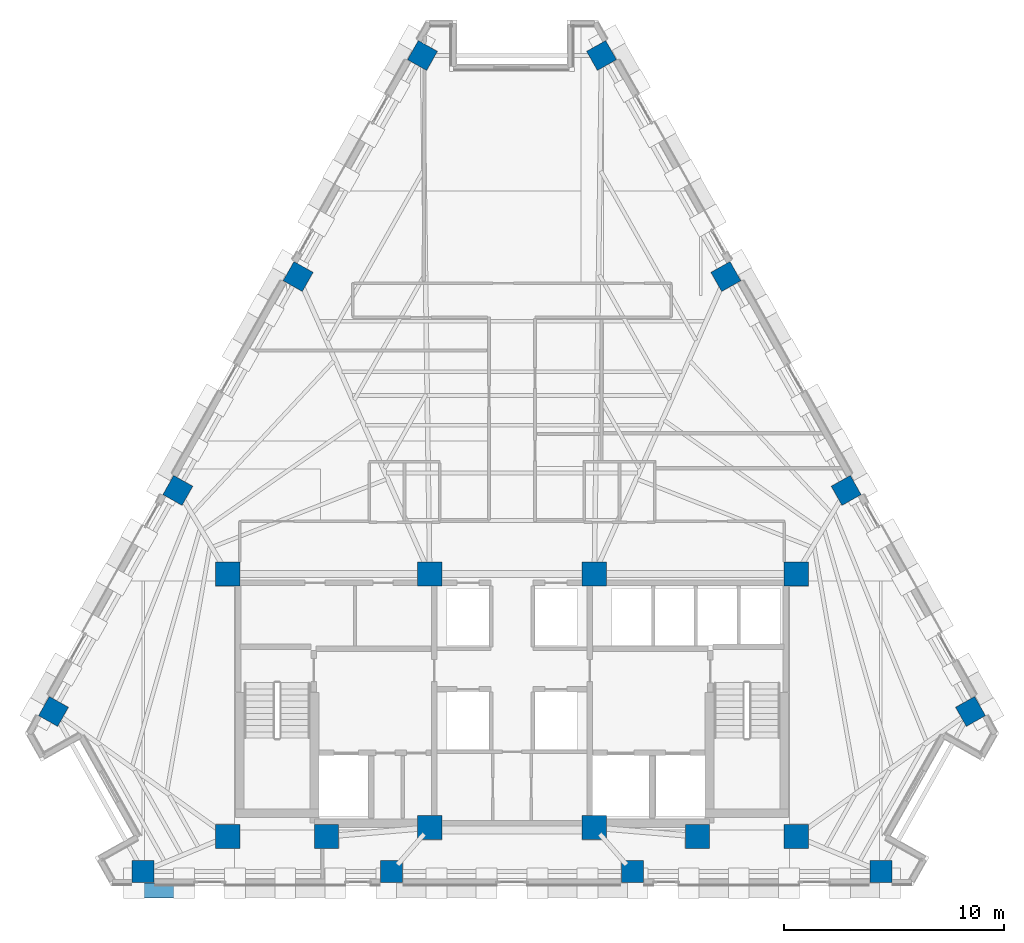
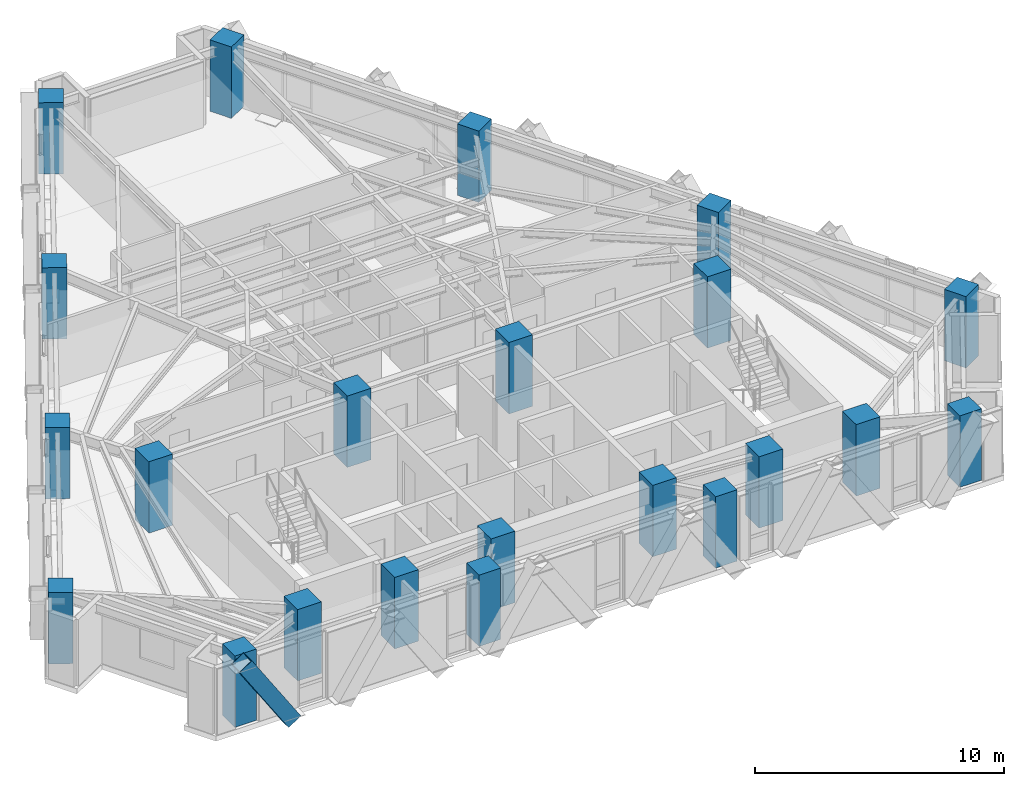
# One storey, part 1 of 14: 22 columns, 1 member.
"""IFC4 building model written with IfcOpenShell, lengths in metres."""

import ifcopenshell
import ifcopenshell.guid

model = None  # the IFC model being written
_history = None  # IfcOwnerHistory: only IFC2X3 demands one
_inside = {}  # id of a spatial element -> (the spatial element, [elements in it])
_under = {}  # id of a project, library or spatial element -> (it, [spatial elements below it])
_declared = {}  # id of a project -> (the project, [libraries it declares])
_typed = {}  # id of a type object -> (the type object, [elements of that type])
_made_of = {}  # id of a material, layer set ... -> (it, [elements and type objects made of it])


def new_model(schema):
    """Start an empty IFC model of exactly this schema.

    Asked for "IFC4X3", IfcOpenShell would pick the latest addendum, in which some entities
    have other attributes; the version numbers below select the first issue.
    IFC2X3 requires an IfcOwnerHistory on every rooted entity: one is made here for all.
    """
    global model, _history
    if schema == "IFC4X3":
        model = ifcopenshell.file(schema_version=(4, 3, 0, 0))
    else:
        model = ifcopenshell.file(schema=schema)
    _inside.clear()
    _under.clear()
    _declared.clear()
    _typed.clear()
    _made_of.clear()
    _history = None
    if model.schema == "IFC2X3":
        org = make("IfcOrganization", Name="unknown")
        user = make(
            "IfcPersonAndOrganization",
            ThePerson=make("IfcPerson", FamilyName="unknown"),
            TheOrganization=org,
        )
        app = make(
            "IfcApplication",
            ApplicationDeveloper=org,
            Version="unknown",
            ApplicationFullName="unknown",
            ApplicationIdentifier="unknown",
        )
        _history = make(
            "IfcOwnerHistory",
            OwningUser=user,
            OwningApplication=app,
            ChangeAction="ADDED",
            CreationDate=0,
        )
    return model


def make(cls, **values):
    """One entity of the class cls with the attributes given. An attribute that is None is left unset."""
    return model.create_entity(
        cls, **{name: value for name, value in values.items() if value is not None}
    )


def rooted(cls, **values):
    """An entity with a GlobalId (a new one), such as an element, a storey or a relation."""
    return make(cls, GlobalId=ifcopenshell.guid.new(), OwnerHistory=_history, **values)


def si_unit(unit_type, name, prefix=None):
    """IfcSIUnit, for example si_unit("LENGTHUNIT", "METRE", prefix="MILLI")."""
    return make("IfcSIUnit", UnitType=unit_type, Prefix=prefix, Name=name)


def assignment(units):
    """IfcUnitAssignment: the units of a project."""
    return None if units is None else make("IfcUnitAssignment", Units=units)


def point(xyz):
    """IfcCartesianPoint."""
    return None if xyz is None else make("IfcCartesianPoint", Coordinates=xyz)


def direction(xyz):
    """IfcDirection."""
    return None if xyz is None else make("IfcDirection", DirectionRatios=xyz)


def frame(location, z_axis=None, x_axis=None):
    """IfcAxis2Placement3D, a coordinate frame: its origin and axes. An axis left out is left unset."""
    return make(
        "IfcAxis2Placement3D",
        Location=point(location),
        Axis=direction(z_axis),
        RefDirection=direction(x_axis),
    )


def frame_2d(location, x_axis=None):
    """IfcAxis2Placement2D, a coordinate frame in the plane: its origin and x axis."""
    return make(
        "IfcAxis2Placement2D", Location=point(location), RefDirection=direction(x_axis)
    )


def origin():
    """The frame at (0, 0, 0) with its axes left unset."""
    return frame((0.0, 0.0, 0.0))


def origin_2d():
    """The frame at (0, 0) in the plane with its x axis left unset."""
    return frame_2d((0.0, 0.0))


def place(relative_to, where):
    """IfcLocalPlacement: puts the frame where relative to a parent placement (None: the world)."""
    return make(
        "IfcLocalPlacement", PlacementRelTo=relative_to, RelativePlacement=where
    )


def context(
    kind, dimensions, precision=None, world=None, true_north=None, identifier=None
):
    """IfcGeometricRepresentationContext, for example the 3D "Model" context."""
    return make(
        "IfcGeometricRepresentationContext",
        ContextIdentifier=identifier,
        ContextType=kind,
        CoordinateSpaceDimension=dimensions,
        Precision=precision,
        WorldCoordinateSystem=world,
        TrueNorth=true_north,
    )


def subcontext(parent, identifier, kind, view, scale=None):
    """IfcGeometricRepresentationSubContext, for example "Body" below "Model"."""
    return make(
        "IfcGeometricRepresentationSubContext",
        ContextIdentifier=identifier,
        ContextType=kind,
        ParentContext=parent,
        TargetScale=scale,
        TargetView=view,
    )


def project(units=None, contexts=None):
    """IfcProject with its units and contexts."""
    return rooted(
        "IfcProject",
        Name="project",
        RepresentationContexts=contexts,
        UnitsInContext=assignment(units),
    )


def spatial(cls, under=None, at=None, **own):
    """A site, building, storey or space (cls), placed at a placement, below another one or the project."""
    s = rooted(cls, ObjectPlacement=at, **own)
    if under is not None:
        _under.setdefault(under.id(), (under, []))[1].append(s)
    return s


def profile(cls, at=None, kind="AREA", **sizes):
    """A parametric profile (cls). Its sizes go by their IFC names, for example OverallWidth=200.0."""
    return make(cls, ProfileType=kind, Position=at, **sizes)


def rectangle(**sizes):
    """IfcRectangleProfileDef."""
    return profile("IfcRectangleProfileDef", **sizes)


def hollow_rectangle(**sizes):
    """IfcRectangleHollowProfileDef."""
    return profile("IfcRectangleHollowProfileDef", **sizes)


def extrude(swept, where, along, depth):
    """IfcExtrudedAreaSolid: the profile swept, set in the frame where, extruded along a direction by depth."""
    return make(
        "IfcExtrudedAreaSolid",
        SweptArea=swept,
        Position=where,
        ExtrudedDirection=direction(along),
        Depth=depth,
    )


def shape(context_of_items, identifier, shape_type, items):
    """IfcShapeRepresentation: the items that make up one representation, for example the "Body"."""
    return make(
        "IfcShapeRepresentation",
        ContextOfItems=context_of_items,
        RepresentationIdentifier=identifier,
        RepresentationType=shape_type,
        Items=items,
    )


def material(Name=None, Category=None):
    """IfcMaterial."""
    return make("IfcMaterial", Name=Name, Category=Category)


def material_profile(
    of_material, cross_section, Name=None, Category=None, Priority=None
):
    """IfcMaterialProfile: a cross section and its material."""
    return make(
        "IfcMaterialProfile",
        Name=Name,
        Material=of_material,
        Profile=cross_section,
        Priority=Priority,
        Category=Category,
    )


def profile_set(profiles, Name=None, composite=None):
    """IfcMaterialProfileSet."""
    return make(
        "IfcMaterialProfileSet",
        Name=Name,
        MaterialProfiles=profiles,
        CompositeProfile=composite,
    )


def made_of(thing, what):
    """Note that an element or type object is made of a material, layer set ...; save() writes the relation."""
    if what is not None:
        _made_of.setdefault(what.id(), (what, []))[1].append(thing)
    return thing


def type_object(cls, material=None, **own):
    """A type object (cls), such as IfcWallType, which elements share."""
    return made_of(rooted(cls, **own), material)


def element(
    cls,
    number,
    at=None,
    inside=None,
    cuts=None,
    type_object=None,
    material=None,
    context=None,
    identifier="Body",
    shape_type=None,
    held_by="IfcProductDefinitionShape",
    body=None,
    shapes=None,
    **own,
):
    """One element of the class cls, such as IfcWall. Its Tag is "e" and its number.

    at: its placement. inside: the storey or other place that contains it. cuts: it is an
    opening in that element (IfcRelVoidsElement). A single representation is given by context,
    identifier, shape_type and body (its items); several are given by shapes. held_by: the class
    of the entity that holds the representations. save() writes the other relations.
    """
    e = rooted(cls, Tag="e%d" % number, ObjectPlacement=at, **own)
    if body is not None:
        shapes = [shape(context, identifier, shape_type, body)]
    if shapes is not None:
        e.Representation = make(held_by, Representations=shapes)
    if inside is not None:
        _inside.setdefault(inside.id(), (inside, []))[1].append(e)
    if cuts is not None:
        rooted(
            "IfcRelVoidsElement", RelatingBuildingElement=cuts, RelatedOpeningElement=e
        )
    if type_object is not None:
        _typed.setdefault(type_object.id(), (type_object, []))[1].append(e)
    return made_of(e, material)


def aggregate(whole, parts):
    """IfcRelAggregates: a whole, such as a stair, and the parts it consists of."""
    return rooted("IfcRelAggregates", RelatingObject=whole, RelatedObjects=parts)


def save(model, path):
    """Write the relations noted so far, then the file.

    IfcRelAggregates (storeys below a building ...), IfcRelContainedInSpatialStructure (elements
    in a storey), IfcRelDefinesByType, IfcRelAssociatesMaterial and IfcRelDeclares: one each for
    every whole, place, type object, material and project.
    """
    for whole, parts in _under.values():
        aggregate(whole, parts)
    for where, things in _inside.values():
        rooted(
            "IfcRelContainedInSpatialStructure",
            RelatedElements=things,
            RelatingStructure=where,
        )
    for kind, things in _typed.values():
        rooted("IfcRelDefinesByType", RelatedObjects=things, RelatingType=kind)
    for what, things in _made_of.values():
        rooted("IfcRelAssociatesMaterial", RelatedObjects=things, RelatingMaterial=what)
    for by, libraries in _declared.values():
        rooted("IfcRelDeclares", RelatingContext=by, RelatedDefinitions=libraries)
    model.write(path)


model = new_model("IFC4")

# Units and contexts
model_context = context("Model", 3, precision=1e-05, world=origin(), true_north=direction((0.0, 1.0)))
body_context = subcontext(model_context, "Body", "Model", "MODEL_VIEW")
ifc_project = project(units=[si_unit("LENGTHUNIT", "METRE"), si_unit("AREAUNIT", "SQUARE_METRE"), si_unit("VOLUMEUNIT", "CUBIC_METRE"), si_unit("PLANEANGLEUNIT", "RADIAN"), si_unit("MASSUNIT", "GRAM", prefix="KILO")], contexts=[model_context])

# Site, building, storey
site_placement = place(None, origin())
site = spatial("IfcSite", under=ifc_project, at=site_placement, CompositionType="ELEMENT")
building_placement = place(site_placement, origin())
building = spatial("IfcBuilding", under=site, at=building_placement, Name="Quenlor Broadcast Tower", CompositionType="ELEMENT")
storey_placement = place(building_placement, frame((0.0, 0.0, 168.5)))
storey = spatial("IfcBuildingStorey", under=building, at=storey_placement, Name="L46", CompositionType="ELEMENT", Elevation=168.5)

# Columns
ifc_material_1 = material(Name="Concrete C65/80", Category="concrete")
ifc_material_profile_1 = material_profile(ifc_material_1, rectangle(XDim=1.10009765625, YDim=1.10009765625, at=origin_2d()))
ifc_profile_set_1 = profile_set([ifc_material_profile_1], Name="Concrete C65/80 RC1100x1100")
column_type_1 = type_object("IfcColumnType", Name="Core Corner Column Mid Concrete C65/80 1100", PredefinedType="COLUMN", material=ifc_profile_set_1)
for number, where, z_axis, x_axis, name in (
    (1, (-12.949951171875, -16.75, 0.0), (0.0, 0.0, 1.0), (1.0, 0.0, 0.0), "L46 Core Column CC1"),
    (2, (-8.449951171875, -16.75, 0.0), (0.0, 0.0, 1.0), (1.0, 0.0, 0.0), "L46 Core Column CC2"),
    (3, (-3.75, -16.35009765625, 0.0), (0.0, 0.0, 1.0), (1.0, 0.0, 0.0), "L46 Core Column CC3"),
    (4, (3.75, -16.35009765625, 0.0), (0.0, 0.0, 1.0), (1.0, 0.0, 0.0), "L46 Core Column CC4"),
    (5, (8.449951171875, -16.75, 0.0), (0.0, 0.0, 1.0), (1.0, 0.0, 0.0), "L46 Core Column CC5"),
    (6, (12.949951171875, -16.75, 0.0), (0.0, 0.0, 1.0), (1.0, 0.0, 0.0), "L46 Core Column CC6"),
    (7, (-12.949951171875, -4.800048828125, 0.0), (0.0, 0.0, 1.0), (1.0, 0.0, 0.0), "L46 Core Column CC7"),
    (8, (-3.75, -4.800048828125, 0.0), (0.0, 0.0, 1.0), (1.0, 0.0, 0.0), "L46 Core Column CC8"),
    (9, (3.75, -4.800048828125, 0.0), (0.0, 0.0, 1.0), (1.0, 0.0, 0.0), "L46 Core Column CC9"),
    (10, (12.949951171875, -4.800048828125, 0.0), (0.0, 0.0, 1.0), (1.0, 0.0, 0.0), "L46 Core Column CC10"),
):
    element("IfcColumn", number, at=place(storey_placement, frame(where, z_axis=z_axis, x_axis=x_axis)), inside=storey, type_object=column_type_1, Name=name, PredefinedType="COLUMN", context=body_context, shape_type="SweptSolid", body=[
        extrude(rectangle(XDim=1.10009765625, YDim=1.10009765625, at=origin_2d()), origin(), (0.0, 0.0, 1.0), 3.5),
    ])
ifc_material_2 = material(Name="Concrete C50/60", Category="concrete")
ifc_material_profile_2 = material_profile(ifc_material_2, rectangle(XDim=1.0, YDim=1.0, at=origin_2d()))
ifc_profile_set_2 = profile_set([ifc_material_profile_2], Name="Concrete C50/60 RC1000x1000")
column_type_2 = type_object("IfcColumnType", Name="Tower Perimeter Column Z3 Concrete C50/60 1000", PredefinedType="COLUMN", material=ifc_profile_set_2)
for number, where, z_axis, x_axis, name in (
    (11, (-16.808349609375, -18.35009765625, 0.0), (0.0, 0.0, 1.0), (0.0, 1.0, 0.0), "L46 Perimeter Column S1"),
    (12, (-5.48095703125, -18.35009765625, 0.0), (0.0, 0.0, 1.0), (0.0, 1.0, 0.0), "L46 Perimeter Column S2"),
    (13, (5.48095703125, -18.35009765625, 0.0), (0.0, 0.0, 1.0), (0.0, 1.0, 0.0), "L46 Perimeter Column S3"),
    (14, (16.808349609375, -18.35009765625, 0.0), (0.0, 0.0, 1.0), (0.0, 1.0, 0.0), "L46 Perimeter Column S4"),
    (15, (20.8876953125, -11.0595703125, 0.0), (0.0, 0.0, 1.0), (0.871575139605, 0.490261946333, 0.0), "L46 Perimeter Column NE1"),
    (16, (15.22412109375, -0.99072265625, 0.0), (0.0, 0.0, 1.0), (0.871575139605, 0.490261946333, 0.0), "L46 Perimeter Column NE2"),
    (17, (9.742919921875, 8.75341796875, 0.0), (0.0, 0.0, 1.0), (0.871575139605, 0.490261946333, 0.0), "L46 Perimeter Column NE3"),
    (18, (4.079345703125, 18.822021484375, 0.0), (0.0, 0.0, 1.0), (0.871575139605, 0.490261946333, 0.0), "L46 Perimeter Column NE4"),
    (19, (-4.079345703125, 18.822021484375, 0.0), (0.0, 0.0, 1.0), (-0.871575139605, 0.490261946333, 0.0), "L46 Perimeter Column NW1"),
    (20, (-9.742919921875, 8.75341796875, 0.0), (0.0, 0.0, 1.0), (-0.871575139605, 0.490261946333, 0.0), "L46 Perimeter Column NW2"),
    (21, (-15.22412109375, -0.99072265625, 0.0), (0.0, 0.0, 1.0), (-0.871575139605, 0.490261946333, 0.0), "L46 Perimeter Column NW3"),
    (22, (-20.8876953125, -11.0595703125, 0.0), (0.0, 0.0, 1.0), (-0.871575139605, 0.490261946333, 0.0), "L46 Perimeter Column NW4"),
):
    element("IfcColumn", number, at=place(storey_placement, frame(where, z_axis=z_axis, x_axis=x_axis)), inside=storey, type_object=column_type_2, Name=name, PredefinedType="COLUMN", context=body_context, shape_type="SweptSolid", body=[
        extrude(rectangle(XDim=1.0, YDim=1.0, at=origin_2d()), origin(), (0.0, 0.0, 1.0), 3.5),
    ])

# Member
ifc_material_3 = material(Name="Steel S355", Category="steel")
ifc_material_profile_3 = material_profile(ifc_material_3, hollow_rectangle(XDim=0.679931640625, YDim=0.679931640625, WallThickness=0.02490234375, at=origin_2d()))
ifc_profile_set_3 = profile_set([ifc_material_profile_3], Name="Steel S355 RHS680x680x25")
member_type = type_object("IfcMemberType", Name="Perimeter Diagonal Lattice Brace Z3-Z4 Steel S355 RHS680x25", PredefinedType="BRACE", material=ifc_profile_set_3)
member_placement = place(storey_placement, frame((-14.937744140625, -19.219970703125, -0.1201171875), z_axis=(-0.543901560697, 0.0, 0.839149028643), x_axis=(0.0, -1.0, 0.0)))
element("IfcMember", 23, at=member_placement, inside=storey, type_object=member_type, Name="L46 Perimeter Diamond Lattice S-C5S", PredefinedType="BRACE", context=body_context, shape_type="SweptSolid", body=[
    extrude(hollow_rectangle(XDim=0.679931640625, YDim=0.679931640625, WallThickness=0.02490234375, at=origin_2d()), origin(), (0.0, 0.0, 1.0), 4.1708984375),
])

save(model, "model.ifc")
